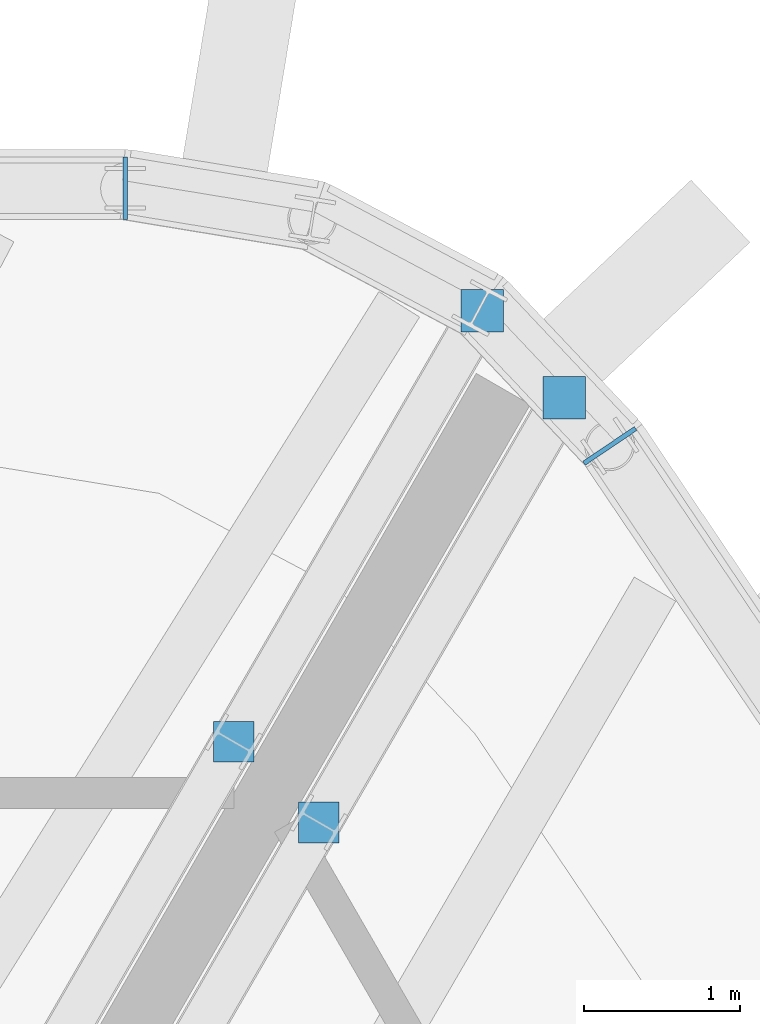
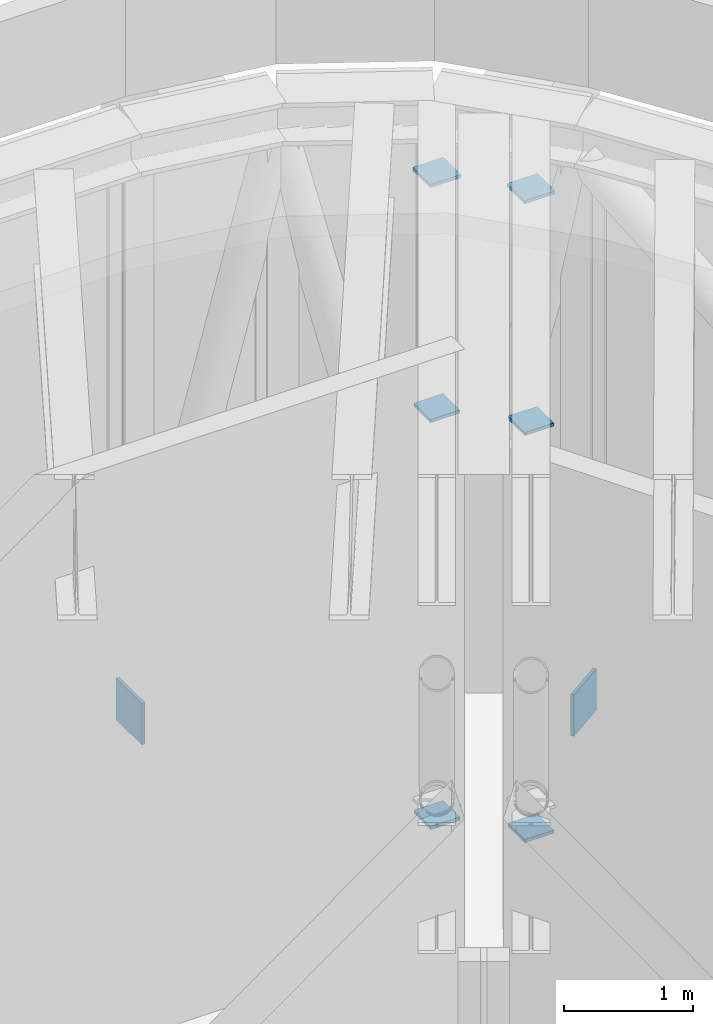
# One storey, part 17 of 19: 8 discrete accessories.
"""IFC4 building model written with IfcOpenShell, lengths in metres."""

from ifc_helpers import new_model, si_unit, direction, frame, origin, origin_2d, place, context, subcontext, project, spatial, rectangle, extrude, material, type_object, element, save


model = new_model("IFC4")

# Units and contexts
model_context = context("Model", 3, precision=1e-05, world=origin(), true_north=direction((0.0, 1.0)))
body_context = subcontext(model_context, "Body", "Model", "MODEL_VIEW")
ifc_project = project(units=[si_unit("LENGTHUNIT", "METRE"), si_unit("AREAUNIT", "SQUARE_METRE"), si_unit("VOLUMEUNIT", "CUBIC_METRE"), si_unit("PLANEANGLEUNIT", "RADIAN"), si_unit("MASSUNIT", "GRAM", prefix="KILO")], contexts=[model_context])

# Site, building, storey
site_placement = place(None, origin())
site = spatial("IfcSite", under=ifc_project, at=site_placement, CompositionType="ELEMENT")
building_placement = place(site_placement, origin())
building = spatial("IfcBuilding", under=site, at=building_placement, Name="Tarnside Tower", CompositionType="ELEMENT")
storey_placement = place(building_placement, frame((0.0, 0.0, 343.5)))
storey = spatial("IfcBuildingStorey", under=building, at=storey_placement, Name="L83", CompositionType="ELEMENT", Elevation=343.5)

# Discrete accessories
ifc_material = material(Name="Steel S355", Category="steel")
discrete_accessory_type_1 = type_object("IfcDiscreteAccessoryType", Name="Cast-in plate L83 belt truss chord end", PredefinedType="USERDEFINED", material=ifc_material)
for number, where, z_axis, x_axis, name in (
    (1, (11.697509765625, 25.75, -0.300048828125), (0.0, 0.0, 1.0), (-1.0, 0.0, 0.0), "Cast-in plate run L83 A"),
    (2, (14.806396484375, 24.096923828125, -0.300048828125), (0.0, 0.0, 1.0), (-0.559192903471, 0.829037572555, 0.0), "Cast-in plate run L83 B"),
):
    element("IfcDiscreteAccessory", number, at=place(storey_placement, frame(where, z_axis=z_axis, x_axis=x_axis)), inside=storey, type_object=discrete_accessory_type_1, Name=name, ObjectType="Cast-in plate", PredefinedType="USERDEFINED", context=body_context, shape_type="SweptSolid", body=[
        extrude(rectangle(XDim=0.030029296875, YDim=0.39892578125, at=origin_2d()), origin(), (0.0, 0.0, 1.0), 0.3935546875),
    ])
discrete_accessory_type_2 = type_object("IfcDiscreteAccessoryType", Name="Gusset plate L83 outrigger end 261", PredefinedType="USERDEFINED", material=ifc_material)
for number, where, z_axis, x_axis, name in (
    (3, (12.39404296875, 22.198974609375, 0.8046875), (0.0, 0.0, 1.0), (1.0, 0.0, 0.0), "Gusset plate 11 L83"),
    (4, (12.39404296875, 22.198974609375, 4.6650390625), (0.0, 0.0, 1.0), (1.0, 0.0, 0.0), "Gusset plate 12 L83"),
    (5, (12.940185546875, 21.68115234375, 0.8046875), (0.0, 0.0, 1.0), (1.0, 0.0, 0.0), "Gusset plate 28 L83"),
    (6, (12.940185546875, 21.68115234375, 4.6650390625), (0.0, 0.0, 1.0), (1.0, 0.0, 0.0), "Gusset plate 29 L83"),
):
    element("IfcDiscreteAccessory", number, at=place(storey_placement, frame(where, z_axis=z_axis, x_axis=x_axis)), inside=storey, type_object=discrete_accessory_type_2, Name=name, ObjectType="Gusset plate", PredefinedType="USERDEFINED", context=body_context, shape_type="SweptSolid", body=[
        extrude(rectangle(XDim=0.26123046875, YDim=0.26123046875, at=origin_2d()), origin(), (0.0, 0.0, 1.0), 0.030029296875),
    ])
discrete_accessory_type_3 = type_object("IfcDiscreteAccessoryType", Name="Gusset plate L83 outrigger end 273", PredefinedType="USERDEFINED", material=ifc_material)
for number, where, z_axis, x_axis, name in (
    (7, (13.98974609375, 24.962646484375, 4.6650390625), (0.0, 0.0, 1.0), (1.0, 0.0, 0.0), "Gusset plate 17 L83"),
    (8, (14.513916015625, 24.406982421875, 4.6650390625), (0.0, 0.0, 1.0), (1.0, 0.0, 0.0), "Gusset plate 34 L83"),
):
    element("IfcDiscreteAccessory", number, at=place(storey_placement, frame(where, z_axis=z_axis, x_axis=x_axis)), inside=storey, type_object=discrete_accessory_type_3, Name=name, ObjectType="Gusset plate", PredefinedType="USERDEFINED", context=body_context, shape_type="SweptSolid", body=[
        extrude(rectangle(XDim=0.27294921875, YDim=0.27294921875, at=origin_2d()), origin(), (0.0, 0.0, 1.0), 0.030029296875),
    ])

save(model, "model.ifc")
